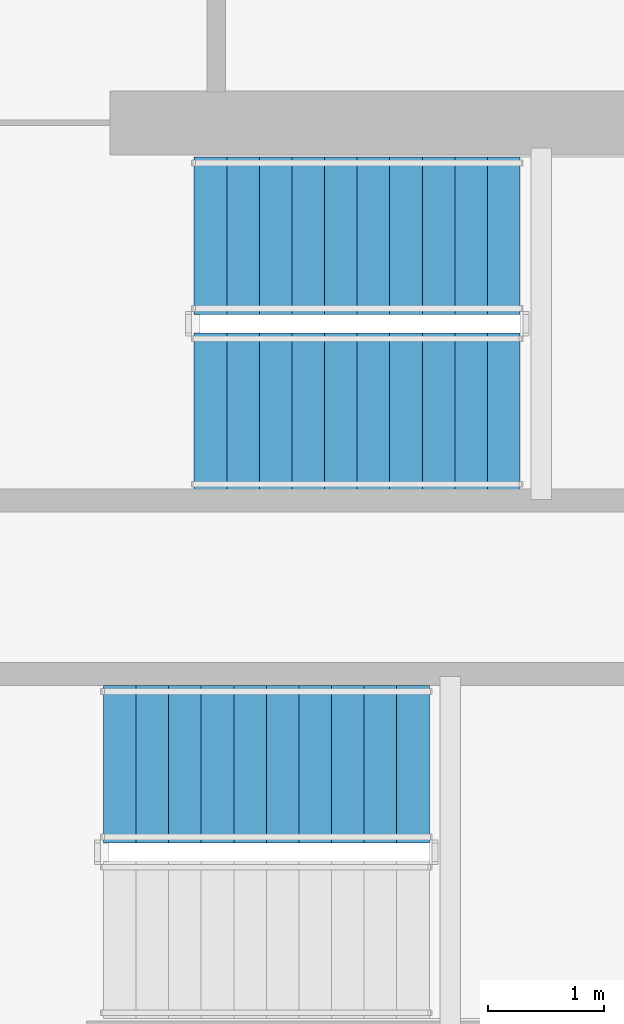
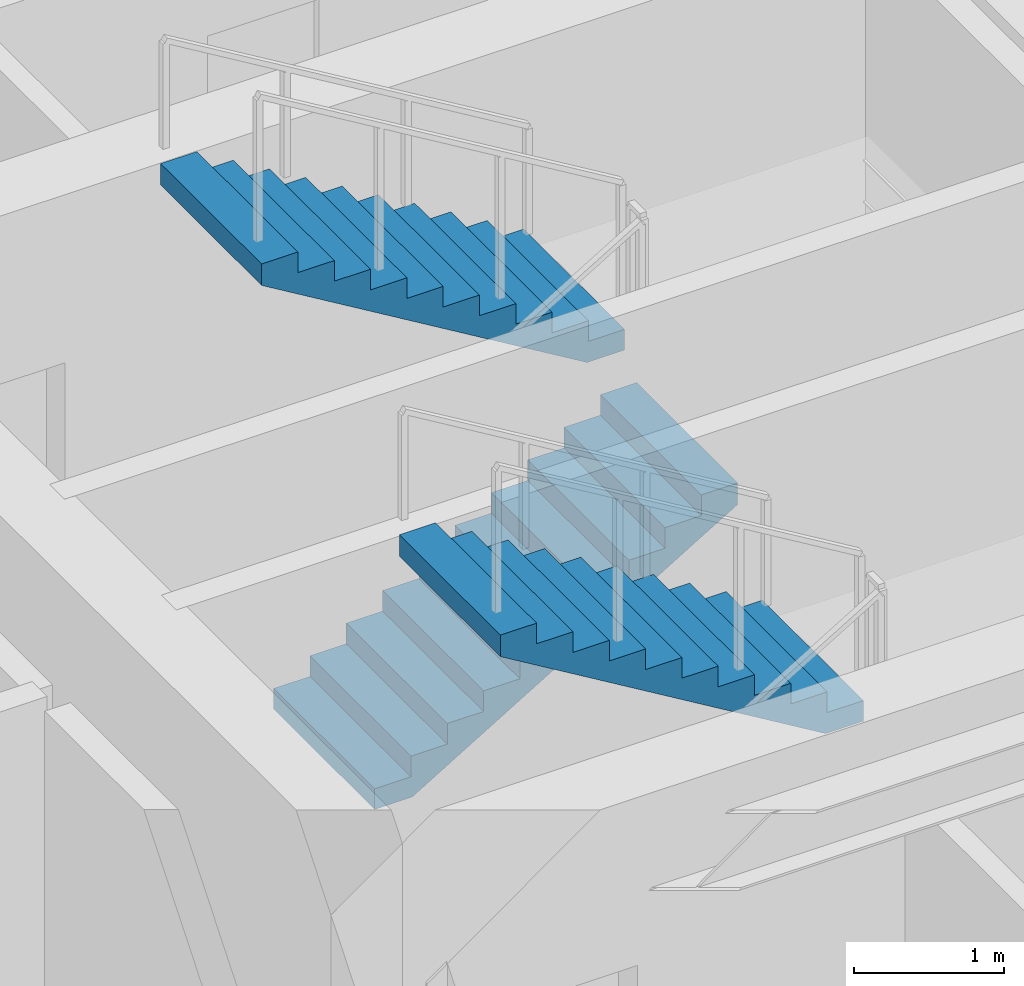
# One storey, part 15 of 18: 3 stair flights, 2 elements without a shape of their own.
"""IFC4 building model written with IfcOpenShell, lengths in metres."""

from ifc_helpers import new_model, si_unit, direction, frame, origin, place, context, subcontext, project, spatial, polyline, outline, extrude, material, type_object, element, aggregate, save


model = new_model("IFC4")

# Units and contexts
model_context = context("Model", 3, precision=1e-05, world=origin(), true_north=direction((0.0, 1.0)))
body_context = subcontext(model_context, "Body", "Model", "MODEL_VIEW")
ifc_project = project(units=[si_unit("LENGTHUNIT", "METRE"), si_unit("AREAUNIT", "SQUARE_METRE"), si_unit("VOLUMEUNIT", "CUBIC_METRE"), si_unit("PLANEANGLEUNIT", "RADIAN"), si_unit("MASSUNIT", "GRAM", prefix="KILO")], contexts=[model_context])

# Site, building, storey
site_placement = place(None, origin())
site = spatial("IfcSite", under=ifc_project, at=site_placement, CompositionType="ELEMENT")
building_placement = place(site_placement, origin())
building = spatial("IfcBuilding", under=site, at=building_placement, Name="Qianvela Tower", CompositionType="ELEMENT")
storey_placement = place(building_placement, frame((0.0, 0.0, 97.800048828125)))
storey = spatial("IfcBuildingStorey", under=building, at=storey_placement, Name="L24", CompositionType="ELEMENT", Elevation=97.800048828125)

# Stair, stair flights
ifc_material_1 = material(Name="Concrete C40", Category="concrete")
stair_type = type_object("IfcStairType", Name="ST-DOGLEG-1350-R168-N22", PredefinedType="HALF_TURN_STAIR", material=ifc_material_1)
stair_1_placement = place(storey_placement, origin())
stair_1 = element("IfcStair", 1, at=stair_1_placement, inside=storey, type_object=stair_type, Name="L24 Smoke-Proof Core Stair ST-1", PredefinedType="HALF_TURN_STAIR")
ifc_material_2 = material(Name="Concrete C40", Category="concrete")
stair_flight_type = type_object("IfcStairFlightType", Name="STF-STRAIGHT-R168-P11", PredefinedType="STRAIGHT", material=ifc_material_2)
stair_flight_1_placement = place(storey_placement, frame((32.199951171875, 30.215087890625, 0.0), z_axis=(0.0, 0.0, 1.0), x_axis=(1.0, 0.0, 0.0)))
stair_flight_1 = element("IfcStairFlight", 2, at=stair_flight_1_placement, type_object=stair_flight_type, Name="ST-1 flight 1", NumberOfRisers=11, NumberOfTreads=10, PredefinedType="STRAIGHT", RiserHeight=0.168181818, TreadLength=0.28, context=body_context, shape_type="SweptSolid", body=[
    extrude(outline(polyline([(0.0, 0.0), (0.0, 0.168212890625), (0.280029296875, 0.168212890625), (0.280029296875, 0.33642578125), (0.56005859375, 0.33642578125), (0.56005859375, 0.504638671875), (0.840087890625, 0.504638671875), (0.840087890625, 0.672607421875), (1.1201171875, 0.672607421875), (1.1201171875, 0.8408203125), (1.39990234375, 0.8408203125), (1.39990234375, 1.009033203125), (1.679931640625, 1.009033203125), (1.679931640625, 1.17724609375), (1.9599609375, 1.17724609375), (1.9599609375, 1.345458984375), (2.239990234375, 1.345458984375), (2.239990234375, 1.513671875), (2.52001953125, 1.513671875), (2.52001953125, 1.681884765625), (2.800048828125, 1.681884765625), (2.800048828125, 1.85009765625), (2.800048828125, 1.5068359375), (0.291015625, 0.0), (0.0, 0.0)])), frame((0.0, 0.675048828125, 0.0), z_axis=(0.0, -1.0, 0.0), x_axis=(1.0, 0.0, 0.0)), (0.0, 0.0, 1.0), 1.35009765625),
])
stair_flight_2_placement = place(storey_placement, frame((35.0, 31.72509765625, 1.849853515625), z_axis=(0.0, 0.0, 1.0), x_axis=(-1.0, 0.0, 0.0)))
stair_flight_2 = element("IfcStairFlight", 3, at=stair_flight_2_placement, type_object=stair_flight_type, Name="ST-1 flight 2", NumberOfRisers=11, NumberOfTreads=10, PredefinedType="STRAIGHT", RiserHeight=0.168181818, TreadLength=0.28, context=body_context, shape_type="SweptSolid", body=[
    extrude(outline(polyline([(0.0, 0.0), (0.0, 0.168212890625), (0.280029296875, 0.168212890625), (0.280029296875, 0.33642578125), (0.56005859375, 0.33642578125), (0.56005859375, 0.504638671875), (0.840087890625, 0.504638671875), (0.840087890625, 0.672607421875), (1.1201171875, 0.672607421875), (1.1201171875, 0.8408203125), (1.39990234375, 0.8408203125), (1.39990234375, 1.009033203125), (1.679931640625, 1.009033203125), (1.679931640625, 1.17724609375), (1.9599609375, 1.17724609375), (1.9599609375, 1.345458984375), (2.239990234375, 1.345458984375), (2.239990234375, 1.513671875), (2.52001953125, 1.513671875), (2.52001953125, 1.681884765625), (2.800048828125, 1.681884765625), (2.800048828125, 1.85009765625), (2.800048828125, 1.5068359375), (0.291015625, 0.0), (0.0, 0.0)])), frame((0.0, 0.675048828125, 0.0), z_axis=(0.0, -1.0, 0.0), x_axis=(1.0, 0.0, 0.0)), (0.0, 0.0, 1.0), 1.35009765625),
])
aggregate(stair_1, [stair_flight_1, stair_flight_2])

# Stair, stair flight
stair_2_placement = place(storey_placement, origin())
stair_2 = element("IfcStair", 4, at=stair_2_placement, inside=storey, type_object=stair_type, Name="L24 Smoke-Proof Core Stair ST-2", PredefinedType="HALF_TURN_STAIR")
stair_flight_3_placement = place(storey_placement, frame((34.219970703125, 27.18505859375, 1.849853515625), z_axis=(0.0, 0.0, 1.0), x_axis=(-1.0, 0.0, 0.0)))
stair_flight_3 = element("IfcStairFlight", 5, at=stair_flight_3_placement, type_object=stair_flight_type, Name="ST-2 flight 2", NumberOfRisers=11, NumberOfTreads=10, PredefinedType="STRAIGHT", RiserHeight=0.168181818, TreadLength=0.28, context=body_context, shape_type="SweptSolid", body=[
    extrude(outline(polyline([(0.0, 0.0), (0.0, 0.168212890625), (0.280029296875, 0.168212890625), (0.280029296875, 0.33642578125), (0.56005859375, 0.33642578125), (0.56005859375, 0.504638671875), (0.840087890625, 0.504638671875), (0.840087890625, 0.672607421875), (1.1201171875, 0.672607421875), (1.1201171875, 0.8408203125), (1.39990234375, 0.8408203125), (1.39990234375, 1.009033203125), (1.679931640625, 1.009033203125), (1.679931640625, 1.17724609375), (1.9599609375, 1.17724609375), (1.9599609375, 1.345458984375), (2.239990234375, 1.345458984375), (2.239990234375, 1.513671875), (2.52001953125, 1.513671875), (2.52001953125, 1.681884765625), (2.800048828125, 1.681884765625), (2.800048828125, 1.85009765625), (2.800048828125, 1.5068359375), (0.291015625, 0.0), (0.0, 0.0)])), frame((0.0, 0.675048828125, 0.0), z_axis=(0.0, -1.0, 0.0), x_axis=(1.0, 0.0, 0.0)), (0.0, 0.0, 1.0), 1.35009765625),
])
aggregate(stair_2, [stair_flight_3])

save(model, "model.ifc")
